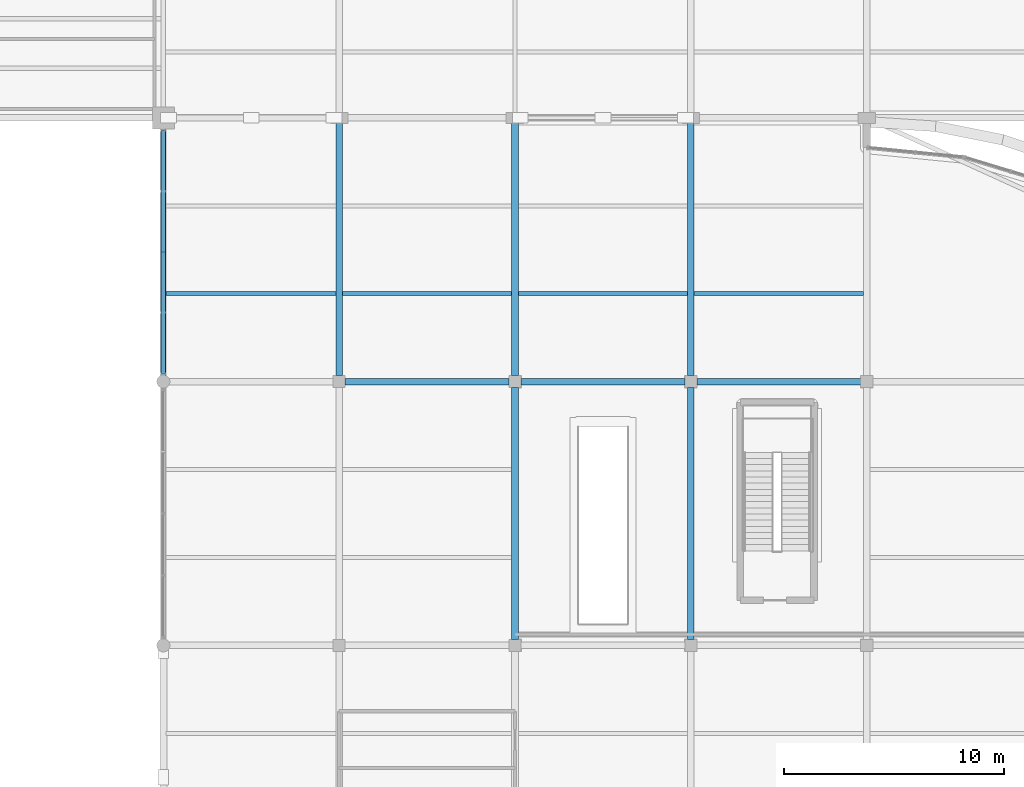
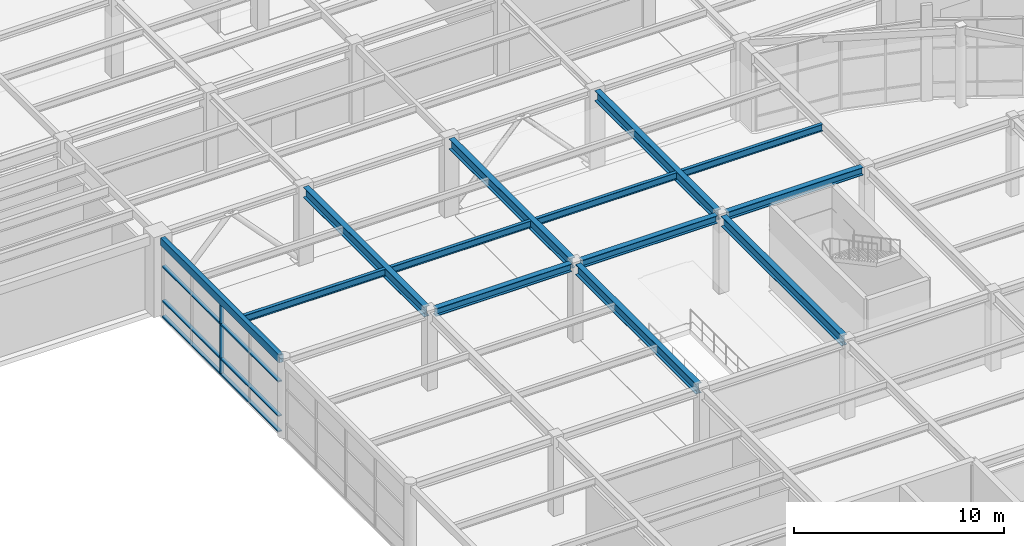
# One storey, part 26 of 63: 13 beams, 5 members, 1 element without a shape of its own.
"""IFC4 building model written with IfcOpenShell, lengths in metres."""

import ifcopenshell
import ifcopenshell.guid

model = None  # the IFC model being written
_history = None  # IfcOwnerHistory: only IFC2X3 demands one
_inside = {}  # id of a spatial element -> (the spatial element, [elements in it])
_under = {}  # id of a project, library or spatial element -> (it, [spatial elements below it])
_declared = {}  # id of a project -> (the project, [libraries it declares])
_typed = {}  # id of a type object -> (the type object, [elements of that type])
_made_of = {}  # id of a material, layer set ... -> (it, [elements and type objects made of it])


def new_model(schema):
    """Start an empty IFC model of exactly this schema.

    Asked for "IFC4X3", IfcOpenShell would pick the latest addendum, in which some entities
    have other attributes; the version numbers below select the first issue.
    IFC2X3 requires an IfcOwnerHistory on every rooted entity: one is made here for all.
    """
    global model, _history
    if schema == "IFC4X3":
        model = ifcopenshell.file(schema_version=(4, 3, 0, 0))
    else:
        model = ifcopenshell.file(schema=schema)
    _inside.clear()
    _under.clear()
    _declared.clear()
    _typed.clear()
    _made_of.clear()
    _history = None
    if model.schema == "IFC2X3":
        org = make("IfcOrganization", Name="unknown")
        user = make(
            "IfcPersonAndOrganization",
            ThePerson=make("IfcPerson", FamilyName="unknown"),
            TheOrganization=org,
        )
        app = make(
            "IfcApplication",
            ApplicationDeveloper=org,
            Version="unknown",
            ApplicationFullName="unknown",
            ApplicationIdentifier="unknown",
        )
        _history = make(
            "IfcOwnerHistory",
            OwningUser=user,
            OwningApplication=app,
            ChangeAction="ADDED",
            CreationDate=0,
        )
    return model


def make(cls, **values):
    """One entity of the class cls with the attributes given. An attribute that is None is left unset."""
    return model.create_entity(
        cls, **{name: value for name, value in values.items() if value is not None}
    )


def rooted(cls, **values):
    """An entity with a GlobalId (a new one), such as an element, a storey or a relation."""
    return make(cls, GlobalId=ifcopenshell.guid.new(), OwnerHistory=_history, **values)


def si_unit(unit_type, name, prefix=None):
    """IfcSIUnit, for example si_unit("LENGTHUNIT", "METRE", prefix="MILLI")."""
    return make("IfcSIUnit", UnitType=unit_type, Prefix=prefix, Name=name)


def assignment(units):
    """IfcUnitAssignment: the units of a project."""
    return None if units is None else make("IfcUnitAssignment", Units=units)


def point(xyz):
    """IfcCartesianPoint."""
    return None if xyz is None else make("IfcCartesianPoint", Coordinates=xyz)


def direction(xyz):
    """IfcDirection."""
    return None if xyz is None else make("IfcDirection", DirectionRatios=xyz)


def frame(location, z_axis=None, x_axis=None):
    """IfcAxis2Placement3D, a coordinate frame: its origin and axes. An axis left out is left unset."""
    return make(
        "IfcAxis2Placement3D",
        Location=point(location),
        Axis=direction(z_axis),
        RefDirection=direction(x_axis),
    )


def frame_2d(location, x_axis=None):
    """IfcAxis2Placement2D, a coordinate frame in the plane: its origin and x axis."""
    return make(
        "IfcAxis2Placement2D", Location=point(location), RefDirection=direction(x_axis)
    )


def origin():
    """The frame at (0, 0, 0) with its axes left unset."""
    return frame((0.0, 0.0, 0.0))


def origin_2d():
    """The frame at (0, 0) in the plane with its x axis left unset."""
    return frame_2d((0.0, 0.0))


def place(relative_to, where):
    """IfcLocalPlacement: puts the frame where relative to a parent placement (None: the world)."""
    return make(
        "IfcLocalPlacement", PlacementRelTo=relative_to, RelativePlacement=where
    )


def context(
    kind, dimensions, precision=None, world=None, true_north=None, identifier=None
):
    """IfcGeometricRepresentationContext, for example the 3D "Model" context."""
    return make(
        "IfcGeometricRepresentationContext",
        ContextIdentifier=identifier,
        ContextType=kind,
        CoordinateSpaceDimension=dimensions,
        Precision=precision,
        WorldCoordinateSystem=world,
        TrueNorth=true_north,
    )


def subcontext(parent, identifier, kind, view, scale=None):
    """IfcGeometricRepresentationSubContext, for example "Body" below "Model"."""
    return make(
        "IfcGeometricRepresentationSubContext",
        ContextIdentifier=identifier,
        ContextType=kind,
        ParentContext=parent,
        TargetScale=scale,
        TargetView=view,
    )


def project(units=None, contexts=None):
    """IfcProject with its units and contexts."""
    return rooted(
        "IfcProject",
        Name="project",
        RepresentationContexts=contexts,
        UnitsInContext=assignment(units),
    )


def spatial(cls, under=None, at=None, **own):
    """A site, building, storey or space (cls), placed at a placement, below another one or the project."""
    s = rooted(cls, ObjectPlacement=at, **own)
    if under is not None:
        _under.setdefault(under.id(), (under, []))[1].append(s)
    return s


def profile(cls, at=None, kind="AREA", **sizes):
    """A parametric profile (cls). Its sizes go by their IFC names, for example OverallWidth=200.0."""
    return make(cls, ProfileType=kind, Position=at, **sizes)


def rectangle(**sizes):
    """IfcRectangleProfileDef."""
    return profile("IfcRectangleProfileDef", **sizes)


def hollow_rectangle(**sizes):
    """IfcRectangleHollowProfileDef."""
    return profile("IfcRectangleHollowProfileDef", **sizes)


def i_section(**sizes):
    """IfcIShapeProfileDef."""
    return profile("IfcIShapeProfileDef", **sizes)


def extrude(swept, where, along, depth):
    """IfcExtrudedAreaSolid: the profile swept, set in the frame where, extruded along a direction by depth."""
    return make(
        "IfcExtrudedAreaSolid",
        SweptArea=swept,
        Position=where,
        ExtrudedDirection=direction(along),
        Depth=depth,
    )


def shape(context_of_items, identifier, shape_type, items):
    """IfcShapeRepresentation: the items that make up one representation, for example the "Body"."""
    return make(
        "IfcShapeRepresentation",
        ContextOfItems=context_of_items,
        RepresentationIdentifier=identifier,
        RepresentationType=shape_type,
        Items=items,
    )


def material(Name=None, Category=None):
    """IfcMaterial."""
    return make("IfcMaterial", Name=Name, Category=Category)


def layer(
    of_material, thickness, ventilated=None, Name=None, Category=None, Priority=None
):
    """IfcMaterialLayer: one layer of a wall or slab, of a material (None: an air gap)."""
    return make(
        "IfcMaterialLayer",
        Material=of_material,
        LayerThickness=thickness,
        IsVentilated=ventilated,
        Name=Name,
        Category=Category,
        Priority=Priority,
    )


def layer_set(layers, Name=None):
    """IfcMaterialLayerSet."""
    return make("IfcMaterialLayerSet", MaterialLayers=layers, LayerSetName=Name)


def material_profile(
    of_material, cross_section, Name=None, Category=None, Priority=None
):
    """IfcMaterialProfile: a cross section and its material."""
    return make(
        "IfcMaterialProfile",
        Name=Name,
        Material=of_material,
        Profile=cross_section,
        Priority=Priority,
        Category=Category,
    )


def profile_set(profiles, Name=None, composite=None):
    """IfcMaterialProfileSet."""
    return make(
        "IfcMaterialProfileSet",
        Name=Name,
        MaterialProfiles=profiles,
        CompositeProfile=composite,
    )


def made_of(thing, what):
    """Note that an element or type object is made of a material, layer set ...; save() writes the relation."""
    if what is not None:
        _made_of.setdefault(what.id(), (what, []))[1].append(thing)
    return thing


def type_object(cls, material=None, **own):
    """A type object (cls), such as IfcWallType, which elements share."""
    return made_of(rooted(cls, **own), material)


def element(
    cls,
    number,
    at=None,
    inside=None,
    cuts=None,
    type_object=None,
    material=None,
    context=None,
    identifier="Body",
    shape_type=None,
    held_by="IfcProductDefinitionShape",
    body=None,
    shapes=None,
    **own,
):
    """One element of the class cls, such as IfcWall. Its Tag is "e" and its number.

    at: its placement. inside: the storey or other place that contains it. cuts: it is an
    opening in that element (IfcRelVoidsElement). A single representation is given by context,
    identifier, shape_type and body (its items); several are given by shapes. held_by: the class
    of the entity that holds the representations. save() writes the other relations.
    """
    e = rooted(cls, Tag="e%d" % number, ObjectPlacement=at, **own)
    if body is not None:
        shapes = [shape(context, identifier, shape_type, body)]
    if shapes is not None:
        e.Representation = make(held_by, Representations=shapes)
    if inside is not None:
        _inside.setdefault(inside.id(), (inside, []))[1].append(e)
    if cuts is not None:
        rooted(
            "IfcRelVoidsElement", RelatingBuildingElement=cuts, RelatedOpeningElement=e
        )
    if type_object is not None:
        _typed.setdefault(type_object.id(), (type_object, []))[1].append(e)
    return made_of(e, material)


def aggregate(whole, parts):
    """IfcRelAggregates: a whole, such as a stair, and the parts it consists of."""
    return rooted("IfcRelAggregates", RelatingObject=whole, RelatedObjects=parts)


def save(model, path):
    """Write the relations noted so far, then the file.

    IfcRelAggregates (storeys below a building ...), IfcRelContainedInSpatialStructure (elements
    in a storey), IfcRelDefinesByType, IfcRelAssociatesMaterial and IfcRelDeclares: one each for
    every whole, place, type object, material and project.
    """
    for whole, parts in _under.values():
        aggregate(whole, parts)
    for where, things in _inside.values():
        rooted(
            "IfcRelContainedInSpatialStructure",
            RelatedElements=things,
            RelatingStructure=where,
        )
    for kind, things in _typed.values():
        rooted("IfcRelDefinesByType", RelatedObjects=things, RelatingType=kind)
    for what, things in _made_of.values():
        rooted("IfcRelAssociatesMaterial", RelatedObjects=things, RelatingMaterial=what)
    for by, libraries in _declared.values():
        rooted("IfcRelDeclares", RelatingContext=by, RelatedDefinitions=libraries)
    model.write(path)


model = new_model("IFC4")

# Units and contexts
model_context = context("Model", 3, precision=1e-05, world=origin(), true_north=direction((0.0, 1.0)))
body_context = subcontext(model_context, "Body", "Model", "MODEL_VIEW")
ifc_project = project(units=[si_unit("LENGTHUNIT", "METRE"), si_unit("AREAUNIT", "SQUARE_METRE"), si_unit("VOLUMEUNIT", "CUBIC_METRE"), si_unit("PLANEANGLEUNIT", "RADIAN"), si_unit("MASSUNIT", "GRAM", prefix="KILO")], contexts=[model_context])

# Site, building, storey
site_placement = place(None, origin())
site = spatial("IfcSite", under=ifc_project, at=site_placement, CompositionType="ELEMENT")
building_placement = place(site_placement, origin())
building = spatial("IfcBuilding", under=site, at=building_placement, Name="Keelwater Ferry Terminal", CompositionType="ELEMENT")
storey_placement = place(building_placement, frame((0.0, 0.0, 10.199951171875)))
storey = spatial("IfcBuildingStorey", under=building, at=storey_placement, Name="L02", CompositionType="ELEMENT", Elevation=10.199951171875)

# Curtain wall, members
ifc_material_1 = material(Name="Thermally broken unitised aluminium and triple glass", Category="aluminium")
ifc_layer = layer(ifc_material_1, 0.179931640625)
ifc_layer_set = layer_set([ifc_layer], Name="Thermally broken unitised aluminium and triple glass")
curtain_wall_type = type_object("IfcCurtainWallType", Name="CW-14 Unitised Curtain Wall 11050x4450", PredefinedType="USERDEFINED", material=ifc_layer_set)
curtain_wall_placement = place(storey_placement, origin())
curtain_wall = element("IfcCurtainWall", 1, at=curtain_wall_placement, inside=storey, type_object=curtain_wall_type, Name="Unitised Curtain Wall CW-L02-076", ObjectType="UNITISED CURTAIN WALL", PredefinedType="USERDEFINED")
ifc_material_2 = material(Name="Aluminium mullion", Category="aluminium")
ifc_material_profile_1 = material_profile(ifc_material_2, rectangle(XDim=0.074951171875, YDim=0.219970703125, at=origin_2d()), Name="CWM-02")
ifc_profile_set_1 = profile_set([ifc_material_profile_1], Name="Aluminium mullion")
member_type_1 = type_object("IfcMemberType", Name="CWM-02 Curtain Mullion 75x220", PredefinedType="MULLION", material=ifc_profile_set_1)
member_1_placement = place(storey_placement, frame((132.0, 83.89990234375, 0.0), z_axis=(0.0, 0.0, 1.0), x_axis=(0.0, 1.0, 0.0)))
member_1 = element("IfcMember", 2, at=member_1_placement, type_object=member_type_1, Name="CW-L02-076 Mullion 3", PredefinedType="MULLION", context=body_context, shape_type="SweptSolid", body=[
    extrude(rectangle(XDim=0.074951171875, YDim=0.219970703125, at=origin_2d()), origin(), (0.0, 0.0, 1.0), 4.449951171875),
])
ifc_material_3 = material(Name="Aluminium mullion", Category="aluminium")
ifc_material_profile_2 = material_profile(ifc_material_3, rectangle(XDim=0.199951171875, YDim=0.074951171875, at=origin_2d()), Name="CWT-02")
ifc_profile_set_2 = profile_set([ifc_material_profile_2], Name="Aluminium mullion")
member_type_2 = type_object("IfcMemberType", Name="CWT-02 Curtain Transom 75x200", PredefinedType="USERDEFINED", material=ifc_profile_set_2)
member_2_placement = place(storey_placement, frame((132.0, 78.375, 0.0), z_axis=(0.0, 1.0, 0.0), x_axis=(-1.0, 0.0, 0.0)))
member_2 = element("IfcMember", 3, at=member_2_placement, type_object=member_type_2, Name="CW-L02-076 Transom 1", ObjectType="TRANSOM", PredefinedType="USERDEFINED", context=body_context, shape_type="SweptSolid", body=[
    extrude(rectangle(XDim=0.199951171875, YDim=0.074951171875, at=origin_2d()), origin(), (0.0, 0.0, 1.0), 11.050048828125),
])
member_3_placement = place(storey_placement, frame((132.0, 78.375, 0.900146484375), z_axis=(0.0, 1.0, 0.0), x_axis=(-1.0, 0.0, 0.0)))
member_3 = element("IfcMember", 4, at=member_3_placement, type_object=member_type_2, Name="CW-L02-076 Transom 2", ObjectType="TRANSOM", PredefinedType="USERDEFINED", context=body_context, shape_type="SweptSolid", body=[
    extrude(rectangle(XDim=0.199951171875, YDim=0.074951171875, at=origin_2d()), origin(), (0.0, 0.0, 1.0), 11.050048828125),
])
member_4_placement = place(storey_placement, frame((132.0, 78.375, 2.900146484375), z_axis=(0.0, 1.0, 0.0), x_axis=(-1.0, 0.0, 0.0)))
member_4 = element("IfcMember", 5, at=member_4_placement, type_object=member_type_2, Name="CW-L02-076 Transom 3", ObjectType="TRANSOM", PredefinedType="USERDEFINED", context=body_context, shape_type="SweptSolid", body=[
    extrude(rectangle(XDim=0.199951171875, YDim=0.074951171875, at=origin_2d()), origin(), (0.0, 0.0, 1.0), 11.050048828125),
])
member_5_placement = place(storey_placement, frame((132.0, 78.375, 4.449951171875), z_axis=(0.0, 1.0, 0.0), x_axis=(-1.0, 0.0, 0.0)))
member_5 = element("IfcMember", 6, at=member_5_placement, type_object=member_type_2, Name="CW-L02-076 Transom 4", ObjectType="TRANSOM", PredefinedType="USERDEFINED", context=body_context, shape_type="SweptSolid", body=[
    extrude(rectangle(XDim=0.199951171875, YDim=0.074951171875, at=origin_2d()), origin(), (0.0, 0.0, 1.0), 11.050048828125),
])
aggregate(curtain_wall, [member_1, member_2, member_3, member_4, member_5])

# Beams
ifc_material_4 = material(Name="Steel S355", Category="steel")
ifc_material_profile_3 = material_profile(ifc_material_4, i_section(OverallWidth=0.300048828125, OverallDepth=0.60009765625, WebThickness=0.015380859375, FlangeThickness=0.030029296875, at=origin_2d()), Name="HEB 600")
ifc_profile_set_3 = profile_set([ifc_material_profile_3], Name="Steel S355")
beam_type_1 = type_object("IfcBeamType", Name="G3 HEB 600", PredefinedType="BEAM", material=ifc_profile_set_3)
beam_1_placement = place(storey_placement, frame((140.0, 78.27001953125, 4.219970703125), z_axis=(0.0, 1.0, 0.0), x_axis=(-1.0, 0.0, 0.0)))
element("IfcBeam", 7, at=beam_1_placement, inside=storey, type_object=beam_type_1, Name="Beam BM-L02-1111", PredefinedType="BEAM", context=body_context, shape_type="SweptSolid", body=[
    extrude(i_section(OverallWidth=0.300048828125, OverallDepth=0.60009765625, WebThickness=0.015380859375, FlangeThickness=0.030029296875, at=origin_2d()), origin(), (0.0, 0.0, 1.0), 11.48486328125),
])
beam_2_placement = place(storey_placement, frame((156.0, 66.27001953125, 4.219970703125), z_axis=(0.0, 1.0, 0.0), x_axis=(-1.0, 0.0, 0.0)))
element("IfcBeam", 8, at=beam_2_placement, inside=storey, type_object=beam_type_1, Name="Beam BM-L02-1124", PredefinedType="BEAM", context=body_context, shape_type="SweptSolid", body=[
    extrude(i_section(OverallWidth=0.300048828125, OverallDepth=0.60009765625, WebThickness=0.015380859375, FlangeThickness=0.030029296875, at=origin_2d()), origin(), (0.0, 0.0, 1.0), 11.4599609375),
])
beam_3_placement = place(storey_placement, frame((156.0, 78.27001953125, 4.219970703125), z_axis=(0.0, 1.0, 0.0), x_axis=(-1.0, 0.0, 0.0)))
element("IfcBeam", 9, at=beam_3_placement, inside=storey, type_object=beam_type_1, Name="Beam BM-L02-1125", PredefinedType="BEAM", context=body_context, shape_type="SweptSolid", body=[
    extrude(i_section(OverallWidth=0.300048828125, OverallDepth=0.60009765625, WebThickness=0.015380859375, FlangeThickness=0.030029296875, at=origin_2d()), origin(), (0.0, 0.0, 1.0), 11.48486328125),
])
ifc_material_5 = material(Name="Steel S355", Category="steel")
ifc_material_profile_4 = material_profile(ifc_material_5, i_section(OverallWidth=0.300048828125, OverallDepth=0.60009765625, WebThickness=0.015380859375, FlangeThickness=0.030029296875, at=origin_2d()), Name="HEB 600")
ifc_profile_set_4 = profile_set([ifc_material_profile_4], Name="Steel S355")
beam_type_2 = type_object("IfcBeamType", Name="G3E HEB 600", PredefinedType="BEAM", material=ifc_profile_set_4)
beam_4_placement = place(storey_placement, frame((148.0, 66.27001953125, 4.219970703125), z_axis=(0.0, 1.0, 0.0), x_axis=(-1.0, 0.0, 0.0)))
element("IfcBeam", 10, at=beam_4_placement, inside=storey, type_object=beam_type_2, Name="Beam BM-L02-1117", PredefinedType="BEAM", context=body_context, shape_type="SweptSolid", body=[
    extrude(i_section(OverallWidth=0.300048828125, OverallDepth=0.60009765625, WebThickness=0.015380859375, FlangeThickness=0.030029296875, at=origin_2d()), origin(), (0.0, 0.0, 1.0), 11.4599609375),
])
beam_5_placement = place(storey_placement, frame((148.0, 78.27001953125, 4.219970703125), z_axis=(0.0, 1.0, 0.0), x_axis=(-1.0, 0.0, 0.0)))
element("IfcBeam", 11, at=beam_5_placement, inside=storey, type_object=beam_type_2, Name="Beam BM-L02-1118", PredefinedType="BEAM", context=body_context, shape_type="SweptSolid", body=[
    extrude(i_section(OverallWidth=0.300048828125, OverallDepth=0.60009765625, WebThickness=0.015380859375, FlangeThickness=0.030029296875, at=origin_2d()), origin(), (0.0, 0.0, 1.0), 11.48486328125),
])
ifc_material_6 = material(Name="Steel S355", Category="steel")
ifc_material_profile_5 = material_profile(ifc_material_6, i_section(OverallWidth=0.300048828125, OverallDepth=0.449951171875, WebThickness=0.013916015625, FlangeThickness=0.02587890625, at=origin_2d()), Name="HEB 450")
ifc_profile_set_5 = profile_set([ifc_material_profile_5], Name="Steel S355")
beam_type_3 = type_object("IfcBeamType", Name="G6 HEB 450", PredefinedType="BEAM", material=ifc_profile_set_5)
for number, where, z_axis, x_axis, name in (
    (12, (140.27001953125, 78.0, 4.295166015625), (1.0, 0.0, 0.0), (0.0, 1.0, 0.0), "Beam BM-L02-1024"),
    (13, (148.27001953125, 78.0, 4.295166015625), (1.0, 0.0, 0.0), (0.0, 1.0, 0.0), "Beam BM-L02-1025"),
    (14, (156.27001953125, 78.0, 4.295166015625), (1.0, 0.0, 0.0), (0.0, 1.0, 0.0), "Beam BM-L02-1026"),
):
    element("IfcBeam", number, at=place(storey_placement, frame(where, z_axis=z_axis, x_axis=x_axis)), inside=storey, type_object=beam_type_3, Name=name, PredefinedType="BEAM", context=body_context, shape_type="SweptSolid", body=[
        extrude(i_section(OverallWidth=0.300048828125, OverallDepth=0.449951171875, WebThickness=0.013916015625, FlangeThickness=0.02587890625, at=origin_2d()), origin(), (0.0, 0.0, 1.0), 7.4599609375),
    ])
ifc_material_7 = material(Name="Steel S355", Category="steel")
ifc_material_profile_6 = material_profile(ifc_material_7, i_section(OverallWidth=0.179931640625, OverallDepth=0.39990234375, WebThickness=0.008544921875, FlangeThickness=0.013427734375, at=origin_2d()), Name="IPE 400")
ifc_profile_set_6 = profile_set([ifc_material_profile_6], Name="Steel S355")
beam_type_4 = type_object("IfcBeamType", Name="J5 IPE 400", PredefinedType="JOIST", material=ifc_profile_set_6)
beam_6_placement = place(storey_placement, frame((132.125, 82.0, 4.320068359375), z_axis=(1.0, 0.0, 0.0), x_axis=(0.0, 1.0, 0.0)))
element("IfcBeam", 15, at=beam_6_placement, inside=storey, type_object=beam_type_4, Name="Beam BM-L02-1201", PredefinedType="JOIST", context=body_context, shape_type="SweptSolid", body=[
    extrude(i_section(OverallWidth=0.179931640625, OverallDepth=0.39990234375, WebThickness=0.008544921875, FlangeThickness=0.013427734375, at=origin_2d()), origin(), (0.0, 0.0, 1.0), 7.72509765625),
])
for number, where, z_axis, x_axis, name in (
    (16, (140.14990234375, 82.0, 4.320068359375), (1.0, 0.0, 0.0), (0.0, 1.0, 0.0), "Beam BM-L02-1215"),
    (17, (148.14990234375, 82.0, 4.320068359375), (1.0, 0.0, 0.0), (0.0, 1.0, 0.0), "Beam BM-L02-1225"),
    (18, (156.14990234375, 82.0, 4.320068359375), (1.0, 0.0, 0.0), (0.0, 1.0, 0.0), "Beam BM-L02-1237"),
):
    element("IfcBeam", number, at=place(storey_placement, frame(where, z_axis=z_axis, x_axis=x_axis)), inside=storey, type_object=beam_type_4, Name=name, PredefinedType="JOIST", context=body_context, shape_type="SweptSolid", body=[
        extrude(i_section(OverallWidth=0.179931640625, OverallDepth=0.39990234375, WebThickness=0.008544921875, FlangeThickness=0.013427734375, at=origin_2d()), origin(), (0.0, 0.0, 1.0), 7.7001953125),
    ])
ifc_material_8 = material(Name="Steel S355", Category="steel")
ifc_material_profile_7 = material_profile(ifc_material_8, hollow_rectangle(XDim=0.25, YDim=0.449951171875, WallThickness=0.01611328125, at=origin_2d()), Name="RHS 450x250x16")
ifc_profile_set_7 = profile_set([ifc_material_profile_7], Name="Steel S355")
beam_type_5 = type_object("IfcBeamType", Name="RB2E RHS 450x250x16", PredefinedType="SPANDREL", material=ifc_profile_set_7)
beam_7_placement = place(storey_placement, frame((132.0, 78.24609375, 4.295166015625), z_axis=(0.0, 1.0, 0.0), x_axis=(-1.0, 0.0, 0.0)))
element("IfcBeam", 19, at=beam_7_placement, inside=storey, type_object=beam_type_5, Name="Beam BM-L02-1103", PredefinedType="SPANDREL", context=body_context, shape_type="SweptSolid", body=[
    extrude(hollow_rectangle(XDim=0.25, YDim=0.449951171875, WallThickness=0.01611328125, at=origin_2d()), origin(), (0.0, 0.0, 1.0), 11.263916015625),
])

save(model, "model.ifc")
